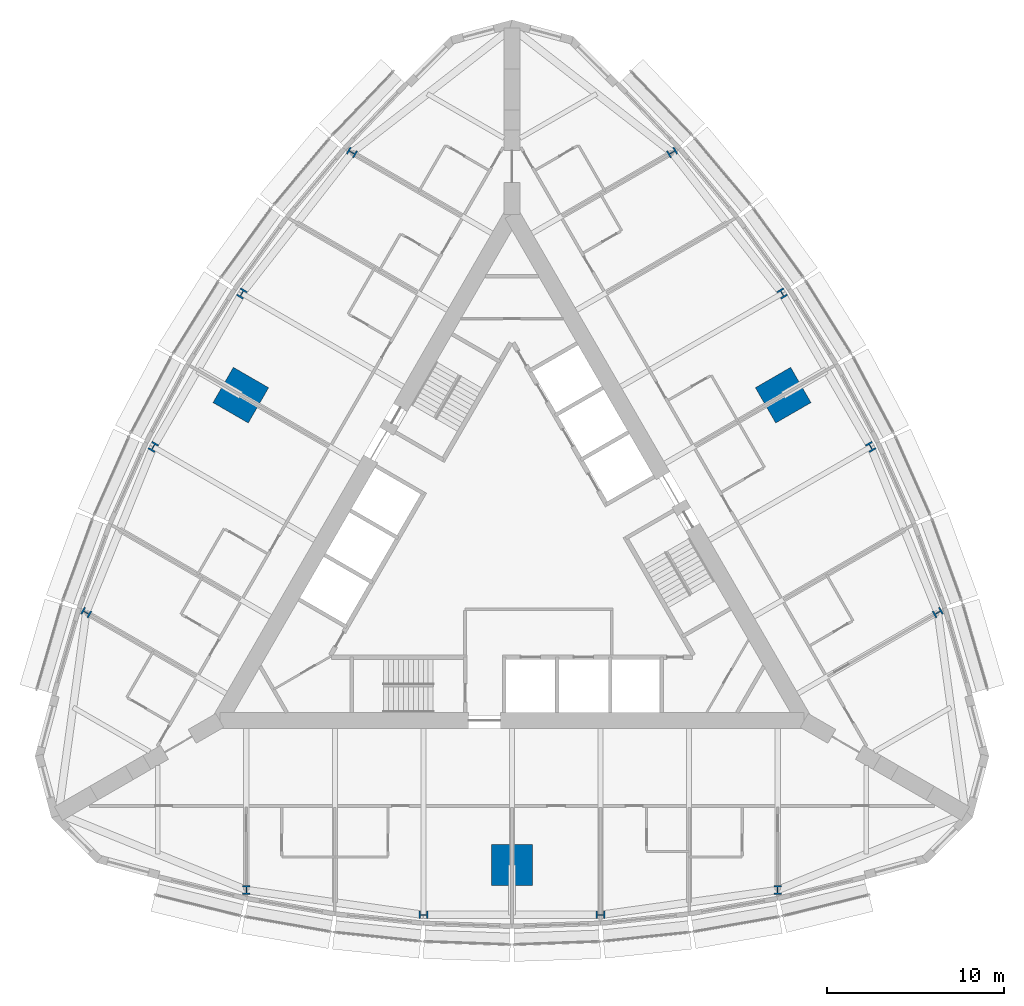
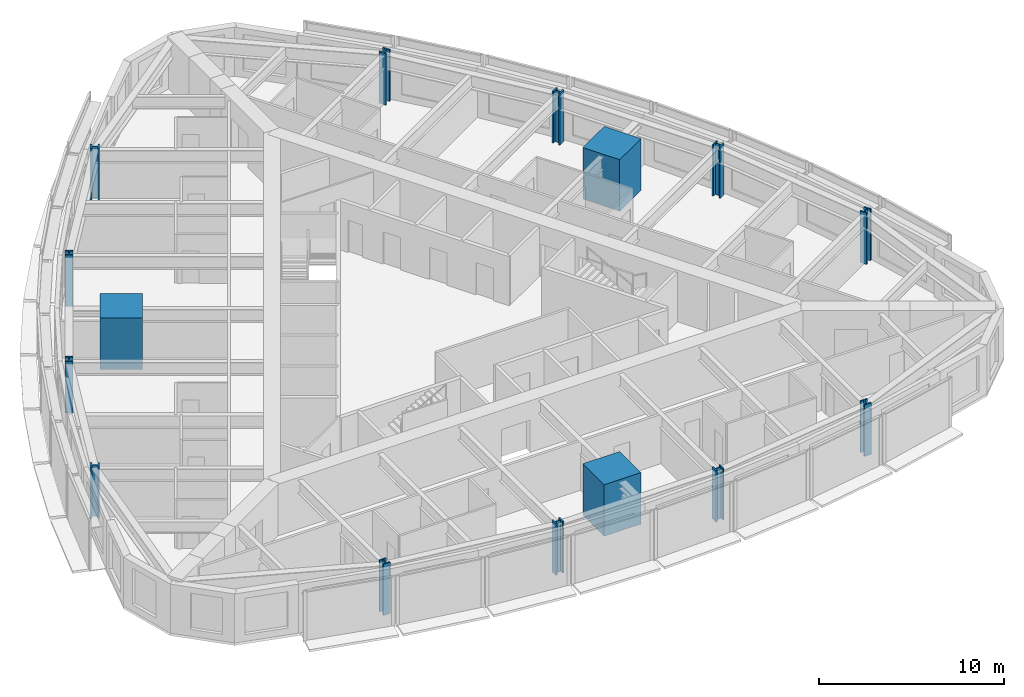
# One storey, part 1 of 14: 15 columns.
"""IFC4 building model written with IfcOpenShell, lengths in metres."""

from ifc_helpers import new_model, si_unit, direction, frame, origin, origin_2d, place, context, subcontext, project, spatial, rectangle, i_section, extrude, material, material_profile, profile_set, type_object, element, save


model = new_model("IFC4")

# Units and contexts
model_context = context("Model", 3, precision=1e-05, world=origin(), true_north=direction((0.0, 1.0)))
body_context = subcontext(model_context, "Body", "Model", "MODEL_VIEW")
ifc_project = project(units=[si_unit("LENGTHUNIT", "METRE"), si_unit("AREAUNIT", "SQUARE_METRE"), si_unit("VOLUMEUNIT", "CUBIC_METRE"), si_unit("PLANEANGLEUNIT", "RADIAN"), si_unit("MASSUNIT", "GRAM", prefix="KILO")], contexts=[model_context])

# Site, building, storey
site_placement = place(None, origin())
site = spatial("IfcSite", under=ifc_project, at=site_placement, CompositionType="ELEMENT")
building_placement = place(site_placement, origin())
building = spatial("IfcBuilding", under=site, at=building_placement, Name="Trikona Tower", CompositionType="ELEMENT")
storey_placement = place(building_placement, frame((0.0, 0.0, 162.300048828125)))
storey = spatial("IfcBuildingStorey", under=building, at=storey_placement, Name="L43", CompositionType="ELEMENT", Elevation=162.300048828125)

# Columns
ifc_material_1 = material(Name="Concrete f'c 10000 psi with encased steel section", Category="concrete")
ifc_material_profile_1 = material_profile(ifc_material_1, rectangle(XDim=2.300048828125, YDim=2.300048828125, at=origin_2d()), Name="MC2300")
ifc_profile_set_1 = profile_set([ifc_material_profile_1], Name="Concrete f'c 10000 psi with encased steel section")
column_type_1 = type_object("IfcColumnType", Name="Composite mega column 2300x2300", PredefinedType="COLUMN", material=ifc_profile_set_1)
for number, where, z_axis, x_axis, name in (
    (1, (0.0, -17.680419921875, 0.0), (0.0, 0.0, 1.0), (0.0, -1.0, 0.0), "Mega column MC1"),
    (2, (15.311767578125, 8.84033203125, 0.0), (0.0, 0.0, 1.0), (0.866025403784, 0.5, 0.0), "Mega column MC2"),
    (3, (-15.311767578125, 8.84033203125, 0.0), (0.0, 0.0, 1.0), (-0.866025403784, 0.5, 0.0), "Mega column MC3"),
):
    element("IfcColumn", number, at=place(storey_placement, frame(where, z_axis=z_axis, x_axis=x_axis)), inside=storey, type_object=column_type_1, Name=name, PredefinedType="COLUMN", context=body_context, shape_type="SweptSolid", body=[
        extrude(rectangle(XDim=2.300048828125, YDim=2.300048828125, at=origin_2d()), origin(), (0.0, 0.0, 1.0), 3.39990234375),
    ])
ifc_material_2 = material(Name="Steel ASTM A992 Grade 50", Category="steel")
ifc_material_profile_2 = material_profile(ifc_material_2, i_section(OverallWidth=0.431884765625, OverallDepth=0.497802734375, WebThickness=0.0556640625, FlangeThickness=0.0888671875, at=origin_2d()), Name="W14X500")
ifc_profile_set_2 = profile_set([ifc_material_profile_2], Name="Steel ASTM A992 Grade 50")
column_type_2 = type_object("IfcColumnType", Name="Steel column W14x500", PredefinedType="COLUMN", material=ifc_profile_set_2)
for number, where, z_axis, x_axis, name in (
    (4, (-15.0, -19.10009765625, 0.0), (0.0, 0.0, 1.0), (1.0, 0.0, 0.0), "Column F0m15"),
    (5, (-5.0, -20.500244140625, 0.0), (0.0, 0.0, 1.0), (0.0, -1.0, 0.0), "Column F0m5"),
    (6, (5.0, -20.500244140625, 0.0), (0.0, 0.0, 1.0), (0.0, -1.0, 0.0), "Column F0p5"),
    (7, (15.0, -19.10009765625, 0.0), (0.0, 0.0, 1.0), (1.0, 0.0, 0.0), "Column F0p15"),
    (8, (24.041259765625, -3.440185546875, 0.0), (0.0, 0.0, 1.0), (-0.5, 0.866025403784, 0.0), "Column F1m15"),
    (9, (20.253662109375, 5.919921875, 0.0), (0.0, 0.0, 1.0), (0.866025403784, 0.5, 0.0), "Column F1m5"),
    (10, (15.253662109375, 14.580078125, 0.0), (0.0, 0.0, 1.0), (0.866025403784, 0.5, 0.0), "Column F1p5"),
    (11, (9.041259765625, 22.54052734375, 0.0), (0.0, 0.0, 1.0), (-0.5, 0.866025403784, 0.0), "Column F1p15"),
    (12, (-9.041259765625, 22.54052734375, 0.0), (0.0, 0.0, 1.0), (-0.5, -0.866025403784, 0.0), "Column F2m15"),
    (13, (-15.253662109375, 14.580078125, 0.0), (0.0, 0.0, 1.0), (-0.866025403784, 0.5, 0.0), "Column F2m5"),
    (14, (-20.253662109375, 5.919921875, 0.0), (0.0, 0.0, 1.0), (-0.866025403784, 0.5, 0.0), "Column F2p5"),
    (15, (-24.041259765625, -3.440185546875, 0.0), (0.0, 0.0, 1.0), (-0.5, -0.866025403784, 0.0), "Column F2p15"),
):
    element("IfcColumn", number, at=place(storey_placement, frame(where, z_axis=z_axis, x_axis=x_axis)), inside=storey, type_object=column_type_2, Name=name, PredefinedType="COLUMN", context=body_context, shape_type="SweptSolid", body=[
        extrude(i_section(OverallWidth=0.431884765625, OverallDepth=0.497802734375, WebThickness=0.0556640625, FlangeThickness=0.0888671875, at=origin_2d()), origin(), (0.0, 0.0, 1.0), 3.39990234375),
    ])

save(model, "model.ifc")
